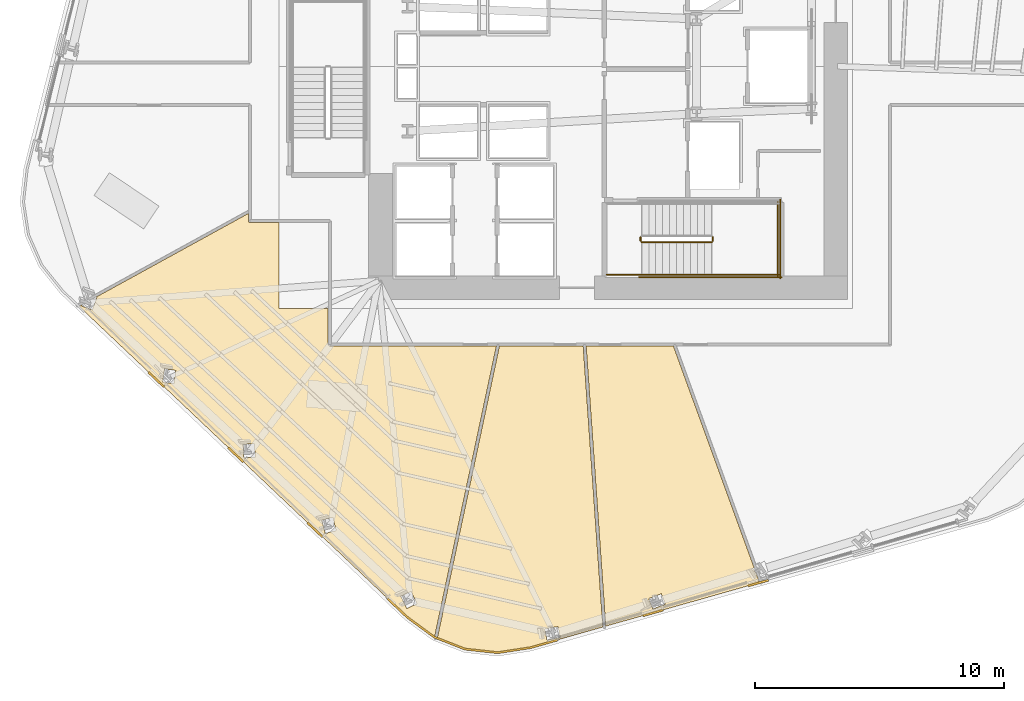
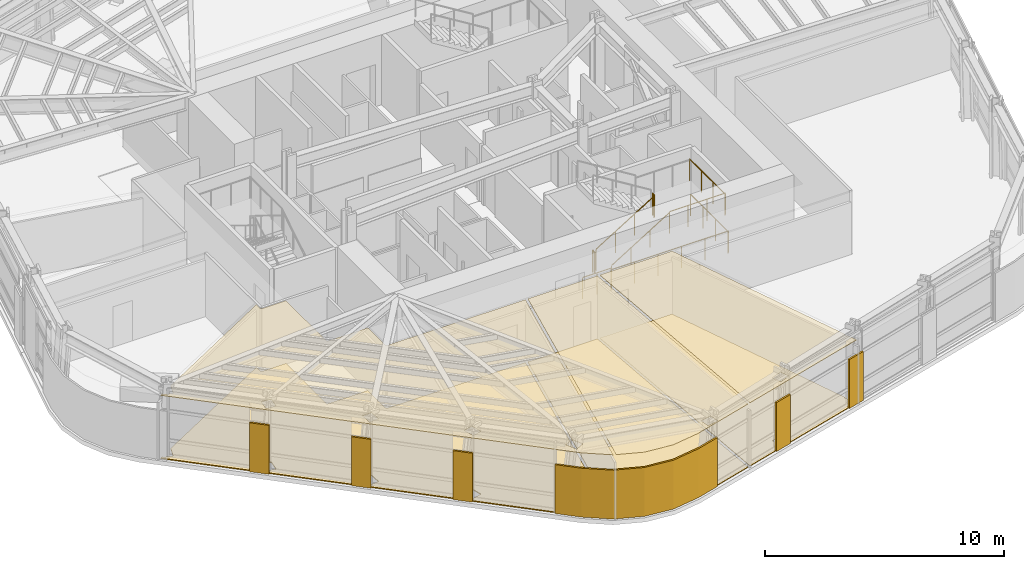
# One storey, part 10 of 15: 12 coverings, 9 railings.
"""IFC4 building model written with IfcOpenShell, lengths in metres."""

from ifc_helpers import new_model, si_unit, direction, frame, origin, origin_2d, place, context, subcontext, project, spatial, polyline, circle, outline, extrude, material, layer, layer_set, type_object, element, save


model = new_model("IFC4")

# Units and contexts
model_context = context("Model", 3, precision=1e-05, world=origin(), true_north=direction((0.0, 1.0)))
body_context = subcontext(model_context, "Body", "Model", "MODEL_VIEW")
ifc_project = project(units=[si_unit("LENGTHUNIT", "METRE"), si_unit("AREAUNIT", "SQUARE_METRE"), si_unit("VOLUMEUNIT", "CUBIC_METRE"), si_unit("PLANEANGLEUNIT", "RADIAN"), si_unit("MASSUNIT", "GRAM", prefix="KILO")], contexts=[model_context])

# Site, building, storey
site_placement = place(None, origin())
site = spatial("IfcSite", under=ifc_project, at=site_placement, CompositionType="ELEMENT")
building_placement = place(site_placement, origin())
building = spatial("IfcBuilding", under=site, at=building_placement, Name="Valkerne Bourse Tower", CompositionType="ELEMENT")
storey_placement = place(building_placement, frame((0.0, 0.0, 93.39990234375)))
storey = spatial("IfcBuildingStorey", under=building, at=storey_placement, Name="L23", CompositionType="ELEMENT", Elevation=93.39990234375)

# Coverings
ifc_material_1 = material(Name="Mineral Fiber Acoustic Ceiling Tile", Category="acoustic")
ifc_layer_1 = layer(ifc_material_1, 0.02490234375)
ifc_layer_set_1 = layer_set([ifc_layer_1], Name="Mineral Fiber Acoustic Ceiling Tile")
covering_type_1 = type_object("IfcCoveringType", Name="COV-CEIL-ACT", PredefinedType="CEILING", material=ifc_layer_set_1)
covering_1_placement = place(storey_placement, frame((0.0, 0.0, 3.22998046875)))
element("IfcCovering", 1, at=covering_1_placement, inside=storey, type_object=covering_type_1, Name="L23 Suspended Ceiling 03", PredefinedType="CEILING", context=body_context, shape_type="SweptSolid", body=[
    extrude(outline(polyline([(49.4208984375, 15.781005859375), (52.652099609375, 6.9033203125), (52.60595703125, 6.87353515625), (52.7373046875, 6.669677734375), (52.8701171875, 6.304443359375), (46.70556640625, 4.555908203125), (45.920654296875, 15.781005859375), (49.4208984375, 15.781005859375)]), holes=[polyline([(49.09521484375, 5.438720703125), (48.93359375, 5.8583984375), (48.930419921875, 5.858154296875), (48.4296875, 5.664306640625), (48.59130859375, 5.244384765625), (48.594482421875, 5.244873046875), (49.09521484375, 5.438720703125)])]), origin(), (0.0, 0.0, 1.0), 0.025146484375),
])
covering_2_placement = place(storey_placement, frame((0.0, 0.0, 3.22998046875)))
element("IfcCovering", 2, at=covering_2_placement, inside=storey, type_object=covering_type_1, Name="L23 Suspended Ceiling 04", PredefinedType="CEILING", context=body_context, shape_type="SweptSolid", body=[
    extrude(outline(polyline([(41.063232421875, 3.643798828125), (39.953857421875, 4.076416015625), (42.44189453125, 15.781005859375), (45.80224609375, 15.781005859375), (46.589599609375, 4.52294921875), (43.68896484375, 3.7001953125), (42.374755859375, 3.4990234375), (41.063232421875, 3.643798828125)]), holes=[polyline([(44.8759765625, 4.098876953125), (44.79638671875, 4.54150390625), (44.79296875, 4.5419921875), (44.264892578125, 4.44580078125), (44.344482421875, 4.0029296875), (44.347900390625, 4.002685546875), (44.8759765625, 4.098876953125)])]), origin(), (0.0, 0.0, 1.0), 0.025146484375),
])
covering_3_placement = place(storey_placement, frame((0.0, 0.0, 3.22998046875)))
element("IfcCovering", 3, at=covering_3_placement, inside=storey, type_object=covering_type_1, Name="L23 Suspended Ceiling 06", PredefinedType="CEILING", context=body_context, shape_type="SweptSolid", body=[
    extrude(outline(polyline([(25.59619140625, 17.37646484375), (25.718017578125, 17.443115234375), (25.698974609375, 17.39111328125), (25.7001953125, 17.387939453125), (26.123291015625, 17.2373046875), (26.305908203125, 17.7431640625), (26.3046875, 17.74609375), (26.283203125, 17.753662109375), (32.381103515625, 21.1025390625), (32.3818359375, 20.7890625), (32.403076171875, 20.7490234375), (32.440185546875, 20.731689453125), (33.60009765625, 20.7314453125), (33.60009765625, 17.300048828125), (35.5810546875, 17.300048828125), (35.5810546875, 15.849609375), (35.59033203125, 15.81494140625), (35.614990234375, 15.790283203125), (35.6494140625, 15.781005859375), (42.3212890625, 15.781005859375), (39.843017578125, 4.121337890625), (38.76220703125, 4.910400390625), (25.59619140625, 17.37646484375)]), holes=[polyline([(35.765380859375, 8.910888671875), (35.7626953125, 8.91259765625), (35.328369140625, 8.798583984375), (35.462646484375, 8.27783203125), (35.46533203125, 8.2763671875), (35.89990234375, 8.39013671875), (35.765380859375, 8.910888671875)]), polyline([(32.622802734375, 11.864501953125), (32.62060546875, 11.866455078125), (32.172119140625, 11.843505859375), (32.197509765625, 11.30615234375), (32.19970703125, 11.30419921875), (32.6484375, 11.3271484375), (32.622802734375, 11.864501953125)]), polyline([(29.47119140625, 14.80615234375), (29.469482421875, 14.80859375), (29.025634765625, 14.877197265625), (28.94140625, 14.34619140625), (28.943115234375, 14.343505859375), (29.386962890625, 14.27490234375), (29.47119140625, 14.80615234375)]), polyline([(38.9072265625, 5.94287109375), (38.904052734375, 5.944091796875), (38.4990234375, 5.75048828125), (38.728759765625, 5.264404296875), (38.731689453125, 5.26318359375), (39.136962890625, 5.456787109375), (38.9072265625, 5.94287109375)])]), origin(), (0.0, 0.0, 1.0), 0.025146484375),
])
ifc_material_2 = material(Name="Bronze Anodised Aluminium AA 6063-T6", Category="aluminium")
ifc_layer_2 = layer(ifc_material_2, 0.06005859375)
ifc_layer_set_2 = layer_set([ifc_layer_2], Name="Bronze Anodised Aluminium AA 6063-T6")
covering_type_2 = type_object("IfcCoveringType", Name="COV-CRN-ALUM", PredefinedType="CLADDING", material=ifc_layer_set_2)
covering_4_placement = place(storey_placement, origin())
element("IfcCovering", 4, at=covering_4_placement, inside=storey, type_object=covering_type_2, Name="L23 Wind-Shaped Corner Aluminium Cladding 03", PredefinedType="CLADDING", context=body_context, shape_type="SweptSolid", body=[
    extrude(outline(polyline([(52.42529296875, 6.13232421875), (52.40283203125, 6.209228515625), (53.211181640625, 6.4384765625), (53.2333984375, 6.36181640625), (52.42529296875, 6.13232421875)])), origin(), (0.0, 0.0, 1.0), 2.5),
])
covering_5_placement = place(storey_placement, origin())
element("IfcCovering", 5, at=covering_5_placement, inside=storey, type_object=covering_type_2, Name="L23 Wind-Shaped Corner Aluminium Cladding 04", PredefinedType="CLADDING", context=body_context, shape_type="SweptSolid", body=[
    extrude(outline(polyline([(48.20849609375, 4.936279296875), (48.18603515625, 5.01318359375), (48.994384765625, 5.242431640625), (49.0166015625, 5.16552734375), (48.20849609375, 4.936279296875)])), origin(), (0.0, 0.0, 1.0), 2.5),
])
covering_6_placement = place(storey_placement, origin())
element("IfcCovering", 6, at=covering_6_placement, inside=storey, type_object=covering_type_2, Name="L23 Wind-Shaped Corner Aluminium Cladding 05", PredefinedType="CLADDING", context=body_context, shape_type="SweptSolid", body=[
    extrude(outline(polyline([(43.698486328125, 3.656982421875), (42.375732421875, 3.45458984375), (41.052734375, 3.600830078125), (39.8125, 4.08447265625), (38.73388671875, 4.87646484375), (37.902587890625, 5.663818359375), (37.9580078125, 5.721435546875), (38.785400390625, 4.93798828125), (39.851318359375, 4.155029296875), (41.072021484375, 3.67919921875), (42.3740234375, 3.535400390625), (43.681396484375, 3.7353515625), (44.777587890625, 4.04638671875), (44.800048828125, 3.969482421875), (43.698486328125, 3.656982421875)])), origin(), (0.0, 0.0, 1.0), 2.5),
])
covering_7_placement = place(storey_placement, origin())
element("IfcCovering", 7, at=covering_7_placement, inside=storey, type_object=covering_type_2, Name="L23 Wind-Shaped Corner Aluminium Cladding 06", PredefinedType="CLADDING", context=body_context, shape_type="SweptSolid", body=[
    extrude(outline(polyline([(34.7197265625, 8.67724609375), (34.775146484375, 8.735107421875), (35.38525390625, 8.157470703125), (35.329833984375, 8.099609375), (34.7197265625, 8.67724609375)])), origin(), (0.0, 0.0, 1.0), 2.5),
])
covering_8_placement = place(storey_placement, origin())
element("IfcCovering", 8, at=covering_8_placement, inside=storey, type_object=covering_type_2, Name="L23 Wind-Shaped Corner Aluminium Cladding 07", PredefinedType="CLADDING", context=body_context, shape_type="SweptSolid", body=[
    extrude(outline(polyline([(31.537109375, 11.69091796875), (31.592529296875, 11.74853515625), (32.202392578125, 11.1708984375), (32.147216796875, 11.11328125), (31.537109375, 11.69091796875)])), origin(), (0.0, 0.0, 1.0), 2.5),
])
covering_9_placement = place(storey_placement, origin())
element("IfcCovering", 9, at=covering_9_placement, inside=storey, type_object=covering_type_2, Name="L23 Wind-Shaped Corner Aluminium Cladding 08", PredefinedType="CLADDING", context=body_context, shape_type="SweptSolid", body=[
    extrude(outline(polyline([(28.354248046875, 14.704345703125), (28.40966796875, 14.76220703125), (29.019775390625, 14.1845703125), (28.96435546875, 14.126708984375), (28.354248046875, 14.704345703125)])), origin(), (0.0, 0.0, 1.0), 2.5),
])
ifc_material_3 = material(Name="Galvanised Painted Steel", Category="steel")
ifc_layer_3 = layer(ifc_material_3, 0.044921875)
ifc_layer_set_3 = layer_set([ifc_layer_3], Name="Galvanised Painted Steel")
covering_type_3 = type_object("IfcCoveringType", Name="COV-FLR-RAF", PredefinedType="FLOORING", material=ifc_layer_set_3)
covering_10_placement = place(storey_placement, origin())
element("IfcCovering", 10, at=covering_10_placement, inside=storey, type_object=covering_type_3, Name="L23 Floor Finish 06", PredefinedType="FLOORING", context=body_context, shape_type="SweptSolid", body=[
    extrude(outline(polyline([(25.59619140625, 17.37646484375), (25.718017578125, 17.443115234375), (25.698974609375, 17.39111328125), (25.7001953125, 17.387939453125), (26.123291015625, 17.2373046875), (26.305908203125, 17.7431640625), (26.3046875, 17.74609375), (26.283203125, 17.753662109375), (32.381103515625, 21.1025390625), (32.3818359375, 20.7890625), (32.403076171875, 20.7490234375), (32.440185546875, 20.731689453125), (33.60009765625, 20.7314453125), (33.60009765625, 17.300048828125), (35.5810546875, 17.300048828125), (35.5810546875, 15.849609375), (35.59033203125, 15.81494140625), (35.614990234375, 15.790283203125), (35.6494140625, 15.781005859375), (42.3212890625, 15.781005859375), (39.843017578125, 4.121337890625), (38.76220703125, 4.910400390625), (25.59619140625, 17.37646484375)]), holes=[polyline([(35.765380859375, 8.910888671875), (35.7626953125, 8.91259765625), (35.328369140625, 8.798583984375), (35.462646484375, 8.27783203125), (35.46533203125, 8.2763671875), (35.89990234375, 8.39013671875), (35.765380859375, 8.910888671875)]), polyline([(32.622802734375, 11.864501953125), (32.62060546875, 11.866455078125), (32.172119140625, 11.843505859375), (32.197509765625, 11.30615234375), (32.19970703125, 11.30419921875), (32.6484375, 11.3271484375), (32.622802734375, 11.864501953125)]), polyline([(29.47119140625, 14.80615234375), (29.469482421875, 14.80859375), (29.025634765625, 14.877197265625), (28.94140625, 14.34619140625), (28.943115234375, 14.343505859375), (29.386962890625, 14.27490234375), (29.47119140625, 14.80615234375)]), polyline([(38.9072265625, 5.94287109375), (38.904052734375, 5.944091796875), (38.4990234375, 5.75048828125), (38.728759765625, 5.264404296875), (38.731689453125, 5.26318359375), (39.136962890625, 5.456787109375), (38.9072265625, 5.94287109375)])]), origin(), (0.0, 0.0, 1.0), 0.045166015625),
])
ifc_material_4 = material(Name="Polished Granite Stone", Category="masonry")
ifc_layer_4 = layer(ifc_material_4, 0.030029296875)
ifc_layer_set_4 = layer_set([ifc_layer_4], Name="Polished Granite Stone")
covering_type_4 = type_object("IfcCoveringType", Name="COV-FLR-TERRAZZO", PredefinedType="FLOORING", material=ifc_layer_set_4)
covering_11_placement = place(storey_placement, origin())
element("IfcCovering", 11, at=covering_11_placement, inside=storey, type_object=covering_type_4, Name="L23 Floor Finish 03", PredefinedType="FLOORING", context=body_context, shape_type="SweptSolid", body=[
    extrude(outline(polyline([(49.4208984375, 15.781005859375), (52.652099609375, 6.9033203125), (52.60595703125, 6.87353515625), (52.7373046875, 6.669677734375), (52.8701171875, 6.304443359375), (46.70556640625, 4.555908203125), (45.920654296875, 15.781005859375), (49.4208984375, 15.781005859375)]), holes=[polyline([(49.09521484375, 5.438720703125), (48.93359375, 5.8583984375), (48.930419921875, 5.858154296875), (48.4296875, 5.664306640625), (48.59130859375, 5.244384765625), (48.594482421875, 5.244873046875), (49.09521484375, 5.438720703125)])]), origin(), (0.0, 0.0, 1.0), 0.030029296875),
])
covering_12_placement = place(storey_placement, origin())
element("IfcCovering", 12, at=covering_12_placement, inside=storey, type_object=covering_type_4, Name="L23 Floor Finish 04", PredefinedType="FLOORING", context=body_context, shape_type="SweptSolid", body=[
    extrude(outline(polyline([(41.063232421875, 3.643798828125), (39.953857421875, 4.076416015625), (42.44189453125, 15.781005859375), (45.80224609375, 15.781005859375), (46.589599609375, 4.52294921875), (43.68896484375, 3.7001953125), (42.374755859375, 3.4990234375), (41.063232421875, 3.643798828125)]), holes=[polyline([(44.8759765625, 4.098876953125), (44.79638671875, 4.54150390625), (44.79296875, 4.5419921875), (44.264892578125, 4.44580078125), (44.344482421875, 4.0029296875), (44.347900390625, 4.002685546875), (44.8759765625, 4.098876953125)])]), origin(), (0.0, 0.0, 1.0), 0.030029296875),
])

# Railings
railing_type_1 = type_object("IfcRailingType", Name="RLG-ST-GUARD-1120", PredefinedType="GUARDRAIL", material=ifc_material_3)
railing_1_placement = place(storey_placement, frame((48.14990234375, 19.949951171875, 0.1728515625)))
element("IfcRailing", 13, at=railing_1_placement, inside=storey, type_object=railing_type_1, Name="L23 ST-1 stair guard 1", PredefinedType="GUARDRAIL", context=body_context, shape_type="SweptSolid", body=[
    extrude(circle(Radius=0.02392578125, at=origin_2d()), frame((0.0, 0.0, 1.09619140625), z_axis=(0.851089632645, 0.0, 0.525020415988), x_axis=(0.0, 1.0, 0.0)), (0.0, 0.0, 1.0), 3.2900390625),
    extrude(circle(Radius=0.02099609375, at=origin_2d()), origin(), (0.0, 0.0, 1.0), 1.072021484375),
    extrude(circle(Radius=0.02099609375, at=origin_2d()), frame((0.933349609375, 0.0, 0.57568359375)), (0.0, 0.0, 1.0), 1.072021484375),
    extrude(circle(Radius=0.02099609375, at=origin_2d()), frame((1.86669921875, 0.0, 1.151611328125)), (0.0, 0.0, 1.0), 1.072021484375),
    extrude(circle(Radius=0.02099609375, at=origin_2d()), frame((2.800048828125, 0.0, 1.727294921875)), (0.0, 0.0, 1.0), 1.072021484375),
])
railing_2_placement = place(storey_placement, frame((51.0, 20.0, 1.900146484375)))
element("IfcRailing", 14, at=railing_2_placement, inside=storey, type_object=railing_type_1, Name="L23 ST-1 stair guard 2", PredefinedType="GUARDRAIL", context=body_context, shape_type="SweptSolid", body=[
    extrude(circle(Radius=0.02392578125, at=origin_2d()), frame((0.0, 0.0, 1.09619140625), z_axis=(0.0, 1.0, 0.0), x_axis=(-1.0, 0.0, 0.0)), (0.0, 0.0, 1.0), 0.14990234375),
    extrude(circle(Radius=0.02099609375, at=origin_2d()), origin(), (0.0, 0.0, 1.0), 1.072021484375),
    extrude(circle(Radius=0.02099609375, at=origin_2d()), frame((0.0, 0.14990234375, 0.0)), (0.0, 0.0, 1.0), 1.072021484375),
])
railing_3_placement = place(storey_placement, frame((50.949951171875, 18.64990234375, 1.900146484375)))
element("IfcRailing", 15, at=railing_3_placement, inside=storey, type_object=railing_type_1, Name="L23 ST-1 stair guard 3", PredefinedType="GUARDRAIL", context=body_context, shape_type="SweptSolid", body=[
    extrude(circle(Radius=0.02392578125, at=origin_2d()), frame((0.0, 0.0, 1.09619140625), z_axis=(1.0, 0.0, 0.0), x_axis=(0.0, 1.0, 0.0)), (0.0, 0.0, 1.0), 2.699951171875),
    extrude(circle(Radius=0.02099609375, at=origin_2d()), origin(), (0.0, 0.0, 1.0), 1.072021484375),
    extrude(circle(Radius=0.02099609375, at=origin_2d()), frame((0.89990234375, 0.0, 0.0)), (0.0, 0.0, 1.0), 1.072021484375),
    extrude(circle(Radius=0.02099609375, at=origin_2d()), frame((1.800048828125, 0.0, 0.0)), (0.0, 0.0, 1.0), 1.072021484375),
    extrude(circle(Radius=0.02099609375, at=origin_2d()), frame((2.699951171875, 0.0, 0.0)), (0.0, 0.0, 1.0), 1.072021484375),
])
railing_4_placement = place(storey_placement, frame((53.60009765625, 18.60009765625, 1.900146484375)))
element("IfcRailing", 16, at=railing_4_placement, inside=storey, type_object=railing_type_1, Name="L23 ST-1 stair guard 5", PredefinedType="GUARDRAIL", context=body_context, shape_type="SweptSolid", body=[
    extrude(circle(Radius=0.02392578125, at=origin_2d()), frame((0.0, 0.0, 1.09619140625), z_axis=(0.0, 1.0, 0.0), x_axis=(-1.0, 0.0, 0.0)), (0.0, 0.0, 1.0), 2.949951171875),
    extrude(circle(Radius=0.02099609375, at=origin_2d()), origin(), (0.0, 0.0, 1.0), 1.072021484375),
    extrude(circle(Radius=0.02099609375, at=origin_2d()), frame((0.0, 0.9833984375, 0.0)), (0.0, 0.0, 1.0), 1.072021484375),
    extrude(circle(Radius=0.02099609375, at=origin_2d()), frame((0.0, 1.966552734375, 0.0)), (0.0, 0.0, 1.0), 1.072021484375),
    extrude(circle(Radius=0.02099609375, at=origin_2d()), frame((0.0, 2.949951171875, 0.0)), (0.0, 0.0, 1.0), 1.072021484375),
])
railing_5_placement = place(storey_placement, frame((48.10009765625, 20.0, 0.0)))
element("IfcRailing", 17, at=railing_5_placement, inside=storey, type_object=railing_type_1, Name="L23 ST-1 stair guard 7", PredefinedType="GUARDRAIL", context=body_context, shape_type="SweptSolid", body=[
    extrude(circle(Radius=0.02392578125, at=origin_2d()), frame((0.0, 0.0, 1.09619140625), z_axis=(0.0, 1.0, 0.0), x_axis=(-1.0, 0.0, 0.0)), (0.0, 0.0, 1.0), 0.14990234375),
    extrude(circle(Radius=0.02099609375, at=origin_2d()), origin(), (0.0, 0.0, 1.0), 1.072021484375),
    extrude(circle(Radius=0.02099609375, at=origin_2d()), frame((0.0, 0.14990234375, 0.0)), (0.0, 0.0, 1.0), 1.072021484375),
])
railing_6_placement = place(storey_placement, frame((46.75, 18.64990234375, 0.0)))
element("IfcRailing", 18, at=railing_6_placement, inside=storey, type_object=railing_type_1, Name="L23 ST-1 stair guard 8", PredefinedType="GUARDRAIL", context=body_context, shape_type="SweptSolid", body=[
    extrude(circle(Radius=0.02392578125, at=origin_2d()), frame((0.0, 0.0, 1.09619140625), z_axis=(1.0, 0.0, 0.0), x_axis=(0.0, 1.0, 0.0)), (0.0, 0.0, 1.0), 1.39990234375),
    extrude(circle(Radius=0.02099609375, at=origin_2d()), origin(), (0.0, 0.0, 1.0), 1.072021484375),
    extrude(circle(Radius=0.02099609375, at=origin_2d()), frame((0.699951171875, 0.0, 0.0)), (0.0, 0.0, 1.0), 1.072021484375),
    extrude(circle(Radius=0.02099609375, at=origin_2d()), frame((1.39990234375, 0.0, 0.0)), (0.0, 0.0, 1.0), 1.072021484375),
])
railing_7_placement = place(storey_placement, frame((48.050048828125, 18.550048828125, 0.0)))
element("IfcRailing", 19, at=railing_7_placement, inside=storey, type_object=railing_type_1, Name="L23 ST-1 stair guard 10", PredefinedType="GUARDRAIL", context=body_context, shape_type="SweptSolid", body=[
    extrude(circle(Radius=0.02392578125, at=origin_2d()), frame((0.0, 0.0, 1.09619140625), z_axis=(1.0, 0.0, 0.0), x_axis=(0.0, 1.0, 0.0)), (0.0, 0.0, 1.0), 5.699951171875),
    extrude(circle(Radius=0.02099609375, at=origin_2d()), origin(), (0.0, 0.0, 1.0), 1.072021484375),
    extrude(circle(Radius=0.02099609375, at=origin_2d()), frame((1.139892578125, 0.0, 0.0)), (0.0, 0.0, 1.0), 1.072021484375),
    extrude(circle(Radius=0.02099609375, at=origin_2d()), frame((2.280029296875, 0.0, 0.0)), (0.0, 0.0, 1.0), 1.072021484375),
    extrude(circle(Radius=0.02099609375, at=origin_2d()), frame((3.419921875, 0.0, 0.0)), (0.0, 0.0, 1.0), 1.072021484375),
    extrude(circle(Radius=0.02099609375, at=origin_2d()), frame((4.56005859375, 0.0, 0.0)), (0.0, 0.0, 1.0), 1.072021484375),
    extrude(circle(Radius=0.02099609375, at=origin_2d()), frame((5.699951171875, 0.0, 0.0)), (0.0, 0.0, 1.0), 1.072021484375),
])
railing_8_placement = place(storey_placement, frame((53.699951171875, 18.5, 0.0)))
element("IfcRailing", 20, at=railing_8_placement, inside=storey, type_object=railing_type_1, Name="L23 ST-1 stair guard 12", PredefinedType="GUARDRAIL", context=body_context, shape_type="SweptSolid", body=[
    extrude(circle(Radius=0.02392578125, at=origin_2d()), frame((0.0, 0.0, 1.09619140625), z_axis=(0.0, 1.0, 0.0), x_axis=(-1.0, 0.0, 0.0)), (0.0, 0.0, 1.0), 3.14990234375),
    extrude(circle(Radius=0.02099609375, at=origin_2d()), origin(), (0.0, 0.0, 1.0), 1.072021484375),
    extrude(circle(Radius=0.02099609375, at=origin_2d()), frame((0.0, 1.050048828125, 0.0)), (0.0, 0.0, 1.0), 1.072021484375),
    extrude(circle(Radius=0.02099609375, at=origin_2d()), frame((0.0, 2.099853515625, 0.0)), (0.0, 0.0, 1.0), 1.072021484375),
    extrude(circle(Radius=0.02099609375, at=origin_2d()), frame((0.0, 3.14990234375, 0.0)), (0.0, 0.0, 1.0), 1.072021484375),
])
ifc_material_5 = material(Name="Stainless Steel AISI 316", Category="steel")
railing_type_2 = type_object("IfcRailingType", Name="RLG-ST-HANDRAIL-900", PredefinedType="HANDRAIL", material=ifc_material_5)
railing_9_placement = place(storey_placement, frame((48.14990234375, 18.64990234375, 0.345458984375)))
element("IfcRailing", 21, at=railing_9_placement, inside=storey, type_object=railing_type_2, Name="L23 ST-1 stair handrail 1", PredefinedType="HANDRAIL", context=body_context, shape_type="SweptSolid", body=[
    extrude(circle(Radius=0.02392578125, at=origin_2d()), frame((0.0, 0.0, 0.8759765625), z_axis=(0.851089632645, 0.0, 0.525020415988), x_axis=(0.0, 1.0, 0.0)), (0.0, 0.0, 1.0), 3.2900390625),
    extrude(circle(Radius=0.02099609375, at=origin_2d()), origin(), (0.0, 0.0, 1.0), 0.851806640625),
    extrude(circle(Radius=0.02099609375, at=origin_2d()), frame((0.933349609375, 0.0, 0.57568359375)), (0.0, 0.0, 1.0), 0.851806640625),
    extrude(circle(Radius=0.02099609375, at=origin_2d()), frame((1.86669921875, 0.0, 1.151611328125)), (0.0, 0.0, 1.0), 0.851806640625),
    extrude(circle(Radius=0.02099609375, at=origin_2d()), frame((2.800048828125, 0.0, 1.727294921875)), (0.0, 0.0, 1.0), 0.851806640625),
])

save(model, "model.ifc")
